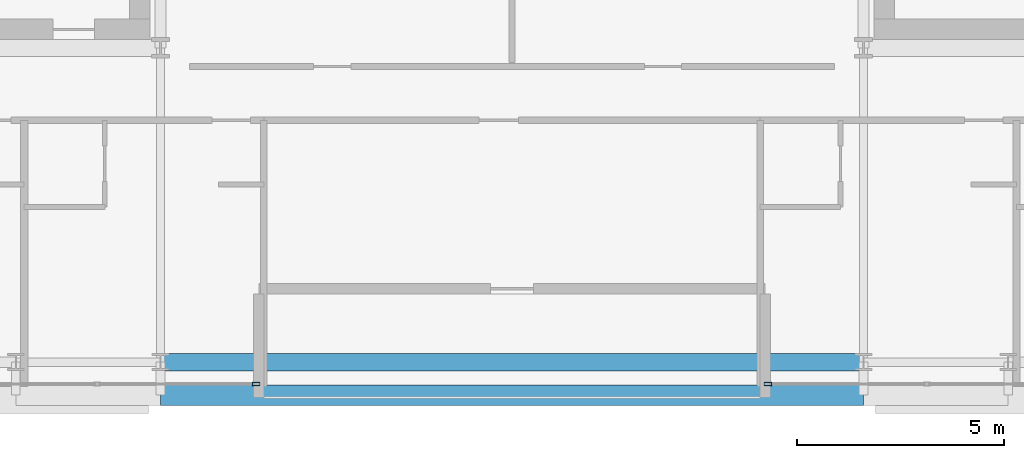
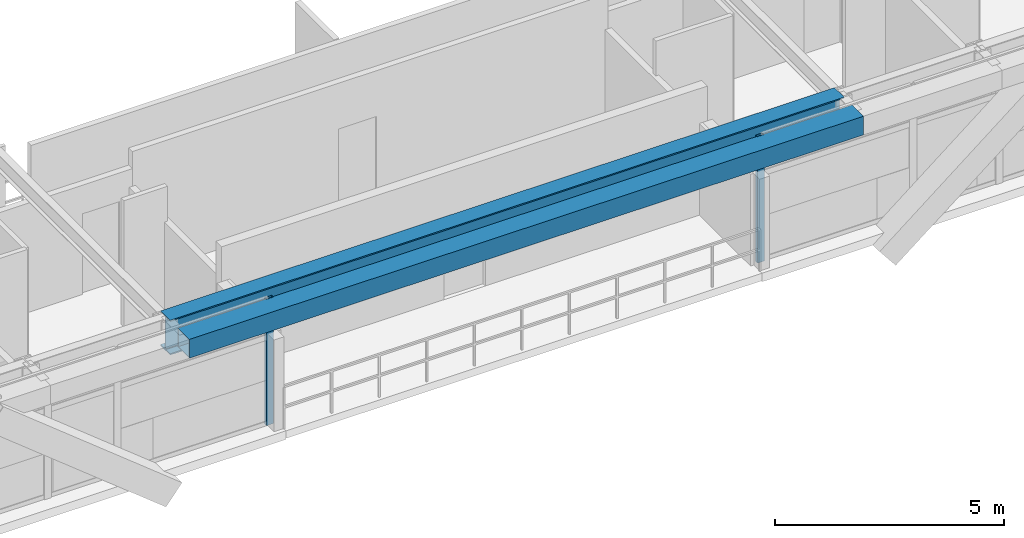
# One storey, part 6 of 31: 2 beams, 2 members, 2 elements without a shape of their own.
"""IFC4 building model written with IfcOpenShell, lengths in metres."""

from ifc_helpers import new_model, si_unit, direction, frame, origin, origin_2d, place, context, subcontext, project, spatial, hollow_rectangle, i_section, extrude, source, transform, mapped, material, layer, layer_set, material_profile, profile_set, type_object, element, aggregate, save


model = new_model("IFC4")

# Units and contexts
model_context = context("Model", 3, precision=1e-05, world=origin(), true_north=direction((0.0, 1.0)))
body_context = subcontext(model_context, "Body", "Model", "MODEL_VIEW")
ifc_project = project(units=[si_unit("LENGTHUNIT", "METRE"), si_unit("AREAUNIT", "SQUARE_METRE"), si_unit("VOLUMEUNIT", "CUBIC_METRE"), si_unit("PLANEANGLEUNIT", "RADIAN"), si_unit("MASSUNIT", "GRAM", prefix="KILO")], contexts=[model_context])

# Site, building, storey
site_placement = place(None, origin())
site = spatial("IfcSite", under=ifc_project, at=site_placement, CompositionType="ELEMENT")
building_placement = place(site_placement, origin())
building = spatial("IfcBuilding", under=site, at=building_placement, Name="Ocotamira Hotel", CompositionType="ELEMENT")
storey_placement = place(building_placement, frame((0.0, 0.0, 174.0)))
storey = spatial("IfcBuildingStorey", under=building, at=storey_placement, Name="L43", CompositionType="ELEMENT", Elevation=174.0)

# Beams
ifc_material_1 = material(Name="Steel ASTM A992 Grade 50", Category="steel")
ifc_material_profile_1 = material_profile(ifc_material_1, i_section(OverallWidth=0.41796875, OverallDepth=0.927001953125, WebThickness=0.019287109375, FlangeThickness=0.031982421875, FilletRadius=0.02392578125, at=origin_2d()), Name="W36X231")
ifc_profile_set_1 = profile_set([ifc_material_profile_1], Name="Steel ASTM A992 Grade 50")
beam_type_1 = type_object("IfcBeamType", Name="BM-GIRD-W36X231", PredefinedType="BEAM", material=ifc_profile_set_1)
shared_shape_1 = source(origin(), body_context, "Body", "SweptSolid", [
    extrude(i_section(OverallWidth=0.41796875, OverallDepth=0.927001953125, WebThickness=0.019287109375, FlangeThickness=0.031982421875, FilletRadius=0.02392578125, at=origin_2d()), origin(), (0.0, 0.0, 1.0), 17.0),
])
beam_1_placement = place(storey_placement, frame((23.5, 6.949951171875, 2.906494140625), z_axis=(1.0, 0.0, 0.0), x_axis=(0.0, 1.0, 0.0)))
element("IfcBeam", 1, at=beam_1_placement, inside=storey, type_object=beam_type_1, Name="L43 Girder Y6.95 X23.5-40.5", PredefinedType="BEAM", context=body_context, shape_type="MappedRepresentation", body=[
    mapped(shared_shape_1, transform((0.0, 0.0, 0.0), scale=1.0)),
])
ifc_material_2 = material(Name="Steel ASTM A500 Grade C", Category="steel")
ifc_material_profile_2 = material_profile(ifc_material_2, hollow_rectangle(XDim=0.5, YDim=0.5, WallThickness=0.02001953125, at=origin_2d()), Name="HSS500X500X20")
ifc_profile_set_2 = profile_set([ifc_material_profile_2], Name="Steel ASTM A500 Grade C")
beam_type_2 = type_object("IfcBeamType", Name="BM-SPAN-HSS500", PredefinedType="USERDEFINED", material=ifc_profile_set_2)
shared_shape_2 = source(origin(), body_context, "Body", "SweptSolid", [
    extrude(hollow_rectangle(XDim=0.5, YDim=0.5, WallThickness=0.02001953125, at=origin_2d()), origin(), (0.0, 0.0, 1.0), 17.0),
])
beam_2_placement = place(storey_placement, frame((23.5, 6.14990234375, 3.1201171875), z_axis=(1.0, 0.0, 0.0), x_axis=(0.0, 1.0, 0.0)))
element("IfcBeam", 2, at=beam_2_placement, inside=storey, type_object=beam_type_2, Name="L43 Edge Spandrel S X23.5-40.5", ObjectType="SPANDREL", PredefinedType="USERDEFINED", context=body_context, shape_type="MappedRepresentation", body=[
    mapped(shared_shape_2, transform((0.0, 0.0, 0.0), scale=1.0)),
])

# Curtain wall, member
ifc_material_3 = material(Name="Anodised pale-metal aluminium and solar glass", Category="aluminium")
ifc_layer = layer(ifc_material_3, 0.199951171875)
ifc_layer_set = layer_set([ifc_layer], Name="Anodised pale-metal aluminium and solar glass")
curtain_wall_type = type_object("IfcCurtainWallType", Name="CW-SYS4-Z3", PredefinedType="NOTDEFINED", material=ifc_layer_set)
curtain_wall_1_placement = place(storey_placement, origin())
curtain_wall_1 = element("IfcCurtainWall", 3, at=curtain_wall_1_placement, inside=storey, type_object=curtain_wall_type, Name="L43 Curtain Wall CW-4 CW-L43-S1", PredefinedType="NOTDEFINED")
ifc_material_4 = material(Name="Anodised pale-metal aluminium 6063-T6", Category="aluminium")
ifc_material_profile_3 = material_profile(ifc_material_4, hollow_rectangle(XDim=0.080078125, YDim=0.179931640625, WallThickness=0.006103515625, at=origin_2d()), Name="HSS180X80X6")
ifc_profile_set_3 = profile_set([ifc_material_profile_3], Name="Anodised pale-metal aluminium 6063-T6")
member_type = type_object("IfcMemberType", Name="CWM-180X75", PredefinedType="MULLION", material=ifc_profile_set_3)
shared_shape_3 = source(origin(), body_context, "Body", "SweptSolid", [
    extrude(hollow_rectangle(XDim=0.080078125, YDim=0.179931640625, WallThickness=0.006103515625, at=origin_2d()), origin(), (0.0, 0.0, 1.0), 3.3701171875),
])
member_1_placement = place(storey_placement, frame((25.81005859375, 6.419921875, 0.0), z_axis=(0.0, 0.0, 1.0), x_axis=(0.0, 1.0, 0.0)))
member_1 = element("IfcMember", 4, at=member_1_placement, type_object=member_type, Name="CW-4 mullion 4", PredefinedType="MULLION", context=body_context, shape_type="MappedRepresentation", body=[
    mapped(shared_shape_3, transform((0.0, 0.0, 0.0), scale=1.0)),
])
aggregate(curtain_wall_1, [member_1])

curtain_wall_2_placement = place(storey_placement, origin())
curtain_wall_2 = element("IfcCurtainWall", 5, at=curtain_wall_2_placement, inside=storey, type_object=curtain_wall_type, Name="L43 Curtain Wall CW-4 CW-L43-S2", PredefinedType="NOTDEFINED")
member_2_placement = place(storey_placement, frame((38.18994140625, 6.419921875, 0.0), z_axis=(0.0, 0.0, 1.0), x_axis=(0.0, 1.0, 0.0)))
member_2 = element("IfcMember", 6, at=member_2_placement, type_object=member_type, Name="CW-4 mullion 1", PredefinedType="MULLION", context=body_context, shape_type="MappedRepresentation", body=[
    mapped(shared_shape_3, transform((0.0, 0.0, 0.0), scale=1.0)),
])
aggregate(curtain_wall_2, [member_2])

save(model, "model.ifc")
